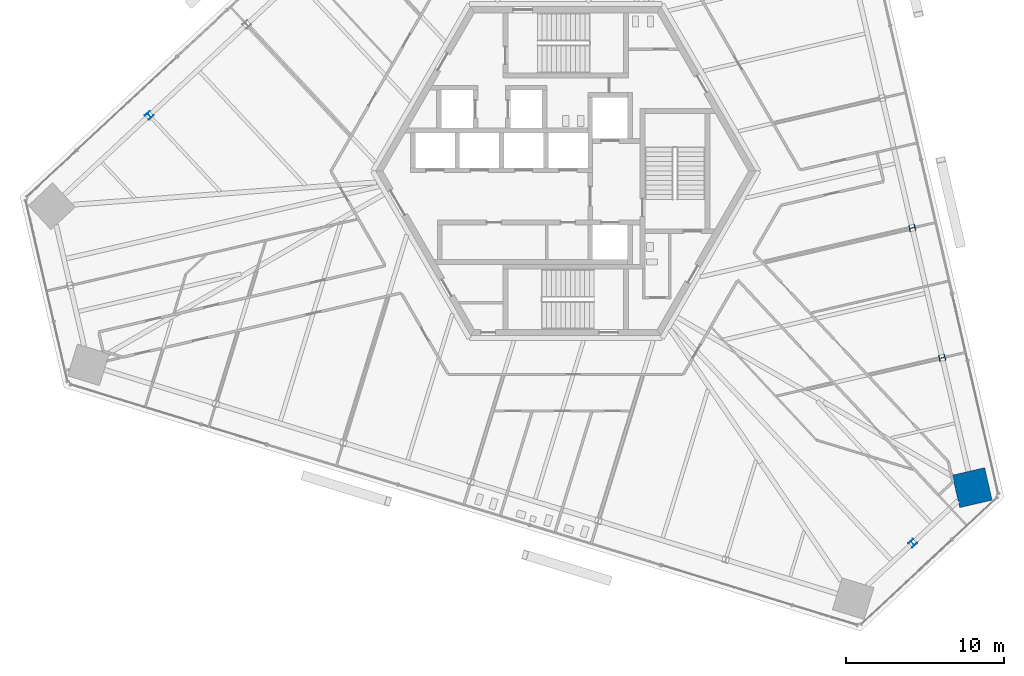
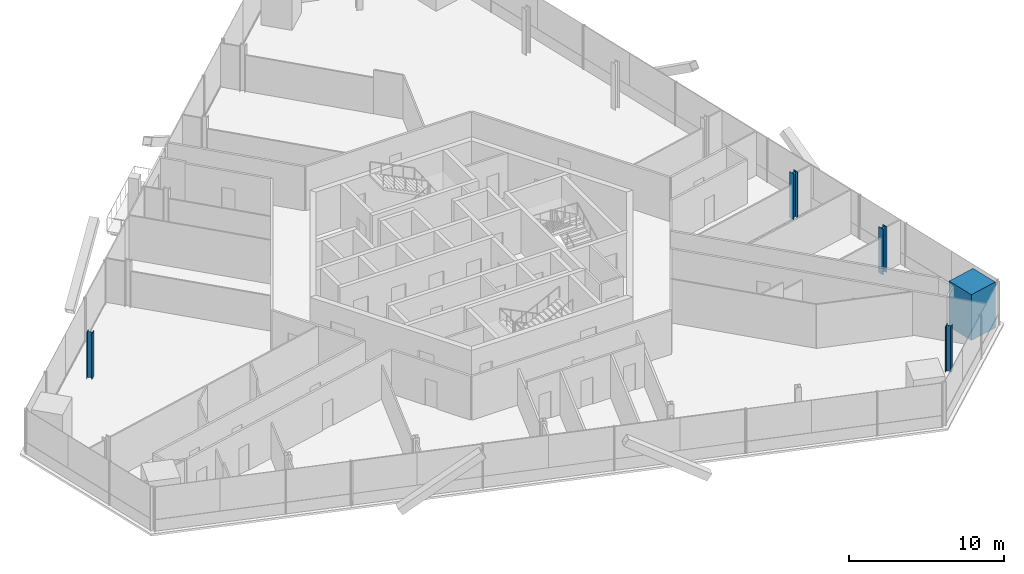
# One storey, part 2 of 19: 5 columns.
"""IFC4 building model written with IfcOpenShell, lengths in metres."""

from ifc_helpers import new_model, si_unit, direction, frame, origin, origin_2d, place, context, subcontext, project, spatial, rectangle, i_section, extrude, source, transform, mapped, material, material_profile, profile_set, type_object, element, save


model = new_model("IFC4")

# Units and contexts
model_context = context("Model", 3, precision=1e-05, world=origin(), true_north=direction((0.0, 1.0)))
body_context = subcontext(model_context, "Body", "Model", "MODEL_VIEW")
ifc_project = project(units=[si_unit("LENGTHUNIT", "METRE"), si_unit("AREAUNIT", "SQUARE_METRE"), si_unit("VOLUMEUNIT", "CUBIC_METRE"), si_unit("PLANEANGLEUNIT", "RADIAN"), si_unit("MASSUNIT", "GRAM", prefix="KILO")], contexts=[model_context])

# Site, building, storey
site_placement = place(None, origin())
site = spatial("IfcSite", under=ifc_project, at=site_placement, CompositionType="ELEMENT")
building_placement = place(site_placement, origin())
building = spatial("IfcBuilding", under=site, at=building_placement, Name="Triune Harvest Tower", CompositionType="ELEMENT")
storey_placement = place(building_placement, frame((0.0, 0.0, 109.10009765625)))
storey = spatial("IfcBuildingStorey", under=building, at=storey_placement, Name="L27", CompositionType="ELEMENT", Elevation=109.10009765625)

# Columns
ifc_material_1 = material(Name="Concrete 70 MPa", Category="concrete")
ifc_material_profile_1 = material_profile(ifc_material_1, rectangle(XDim=2.10009765625, YDim=2.10009765625, at=origin_2d()), Name="Composite 2100x2100")
ifc_profile_set_1 = profile_set([ifc_material_profile_1], Name="Concrete 70 MPa")
column_type_1 = type_object("IfcColumnType", Name="MC-3 Mega column Composite 2100x2100", PredefinedType="COLUMN", material=ifc_profile_set_1)
shared_shape_1 = source(origin(), body_context, "Body", "SweptSolid", [
    extrude(rectangle(XDim=2.10009765625, YDim=2.10009765625, at=origin_2d()), origin(), (0.0, 0.0, 1.0), 3.599853515625),
])
column_placement = place(storey_placement, frame((25.65869140625, -19.983642578125, 0.0), z_axis=(0.0, 0.0, 1.0), x_axis=(-0.22495275494, 0.97436967217, 0.0)))
element("IfcColumn", 1, at=column_placement, inside=storey, type_object=column_type_1, Name="col/L27/M0", PredefinedType="COLUMN", context=body_context, shape_type="MappedRepresentation", body=[
    mapped(shared_shape_1, transform((0.0, 0.0, 0.0), scale=1.0)),
])
ifc_material_2 = material(Name="Steel ASTM A992 Gr 50", Category="steel")
ifc_material_profile_2 = material_profile(ifc_material_2, i_section(OverallWidth=0.396240234375, OverallDepth=0.381103515625, WebThickness=0.01904296875, FlangeThickness=0.0302734375, at=origin_2d()), Name="W14x159")
ifc_profile_set_2 = profile_set([ifc_material_profile_2], Name="Steel ASTM A992 Gr 50")
column_type_2 = type_object("IfcColumnType", Name="PC-3 Perimeter column W14x159", PredefinedType="COLUMN", material=ifc_profile_set_2)
shared_shape_2 = source(origin(), body_context, "Body", "SweptSolid", [
    extrude(i_section(OverallWidth=0.396240234375, OverallDepth=0.381103515625, WebThickness=0.01904296875, FlangeThickness=0.0302734375, at=origin_2d()), origin(), (0.0, 0.0, 1.0), 3.599853515625),
])
for number, where, z_axis, x_axis, name in (
    (2, (23.765869140625, -11.784912109375, 0.0), (0.0, 0.0, 1.0), (-0.22495275494, 0.97436967217, 0.0), "col/L27/P1"),
    (3, (21.872802734375, -3.5859375, 0.0), (0.0, 0.0, 1.0), (-0.22495275494, 0.97436967217, 0.0), "col/L27/P2"),
    (4, (-26.29248046875, 3.51953125, 0.0), (0.0, 0.0, 1.0), (-0.73135489193, -0.681997083608, 0.0), "col/L27/P13"),
    (5, (21.90185546875, -23.48681640625, 0.0), (0.0, 0.0, 1.0), (0.731353701619, 0.681998360062, 0.0), "col/L27/P23"),
):
    element("IfcColumn", number, at=place(storey_placement, frame(where, z_axis=z_axis, x_axis=x_axis)), inside=storey, type_object=column_type_2, Name=name, PredefinedType="COLUMN", context=body_context, shape_type="MappedRepresentation", body=[
        mapped(shared_shape_2, transform((0.0, 0.0, 0.0), scale=1.0)),
    ])

save(model, "model.ifc")
